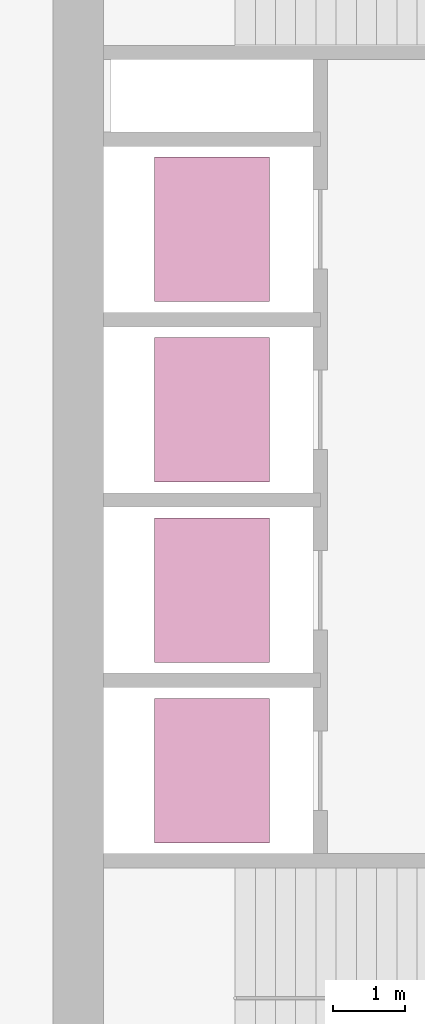
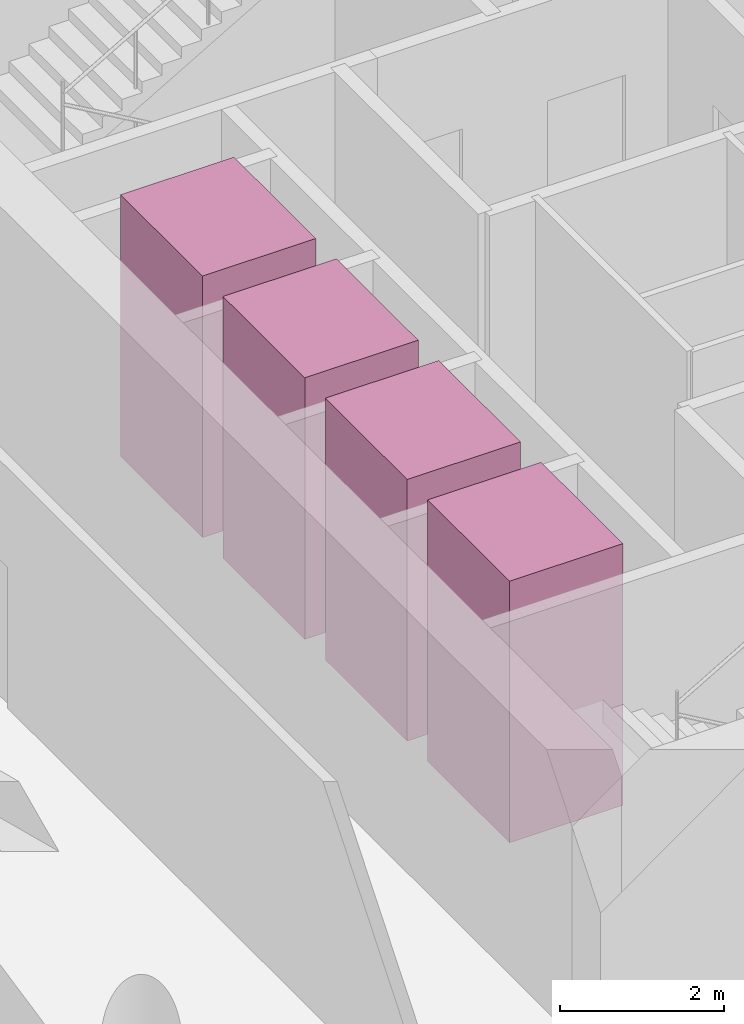
# One storey, part 9 of 9: 4 transport elements.
"""IFC4 building model written with IfcOpenShell, lengths in metres."""

from ifc_helpers import new_model, si_unit, direction, frame, origin, origin_2d, place, context, subcontext, project, spatial, rectangle, extrude, material, type_object, element, save


model = new_model("IFC4")

# Units and contexts
model_context = context("Model", 3, precision=1e-05, world=origin(), true_north=direction((0.0, 1.0)))
body_context = subcontext(model_context, "Body", "Model", "MODEL_VIEW")
ifc_project = project(units=[si_unit("LENGTHUNIT", "METRE"), si_unit("AREAUNIT", "SQUARE_METRE"), si_unit("VOLUMEUNIT", "CUBIC_METRE"), si_unit("PLANEANGLEUNIT", "RADIAN"), si_unit("MASSUNIT", "GRAM", prefix="KILO")], contexts=[model_context])

# Site, building, storey
site_placement = place(None, origin())
site = spatial("IfcSite", under=ifc_project, at=site_placement, CompositionType="ELEMENT")
building_placement = place(site_placement, origin())
building = spatial("IfcBuilding", under=site, at=building_placement, Name="Qaws Garden Tower", CompositionType="ELEMENT")
storey_placement = place(building_placement, frame((0.0, 0.0, 162.89990234375)))
storey = spatial("IfcBuildingStorey", under=building, at=storey_placement, Name="L39", CompositionType="ELEMENT", Elevation=162.89990234375)

# Transport elements
ifc_material = material(Name="Stainless steel 316", Category="steel")
transport_element_type = type_object("IfcTransportElementType", Name="Passenger lift car 2000x1600 1800 kg", PredefinedType="ELEVATOR", material=ifc_material)
for number, where, z_axis, x_axis, name in (
    (1, (10.199951171875, 13.64990234375, 0.000244140625), (0.0, 0.0, 1.0), (1.0, 0.0, 0.0), "MR1"),
    (2, (10.199951171875, 16.14990234375, 0.000244140625), (0.0, 0.0, 1.0), (1.0, 0.0, 0.0), "MR2"),
    (3, (10.199951171875, 18.64990234375, 0.000244140625), (0.0, 0.0, 1.0), (1.0, 0.0, 0.0), "MR3"),
    (4, (10.199951171875, 21.14990234375, 0.000244140625), (0.0, 0.0, 1.0), (1.0, 0.0, 0.0), "MR4"),
):
    element("IfcTransportElement", number, at=place(storey_placement, frame(where, z_axis=z_axis, x_axis=x_axis)), inside=storey, type_object=transport_element_type, Name=name, PredefinedType="ELEVATOR", context=body_context, shape_type="SweptSolid", body=[
        extrude(rectangle(XDim=1.60009765625, YDim=2.0, at=origin_2d()), origin(), (0.0, 0.0, 1.0), 3.89990234375),
    ])

save(model, "model.ifc")
